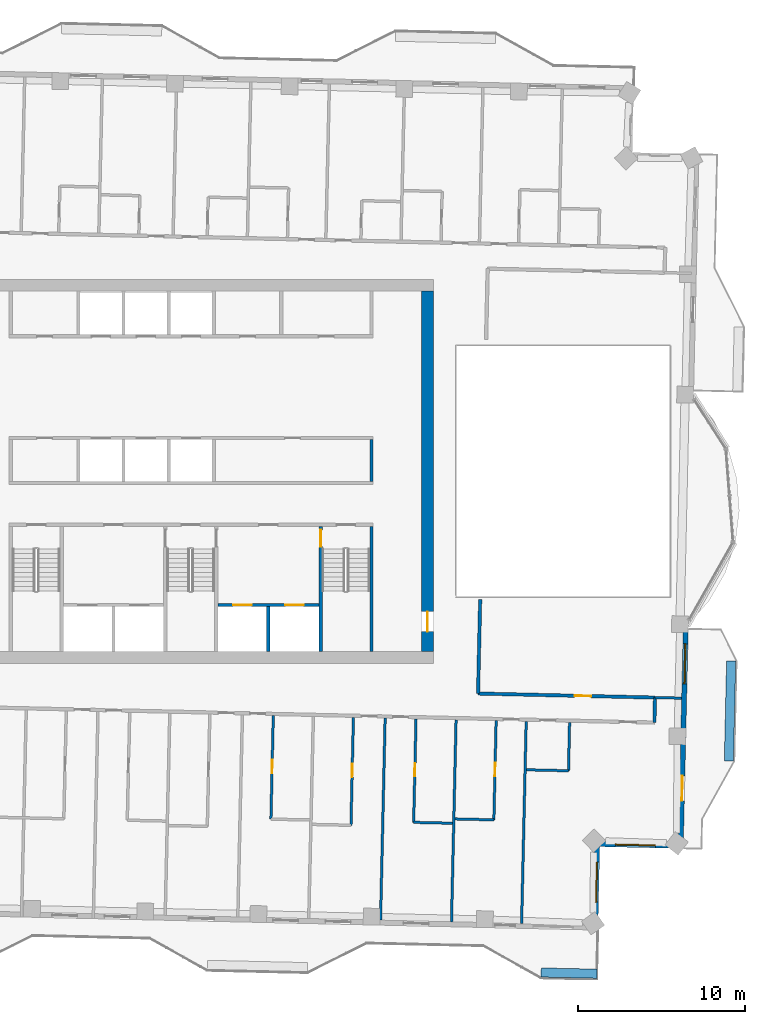
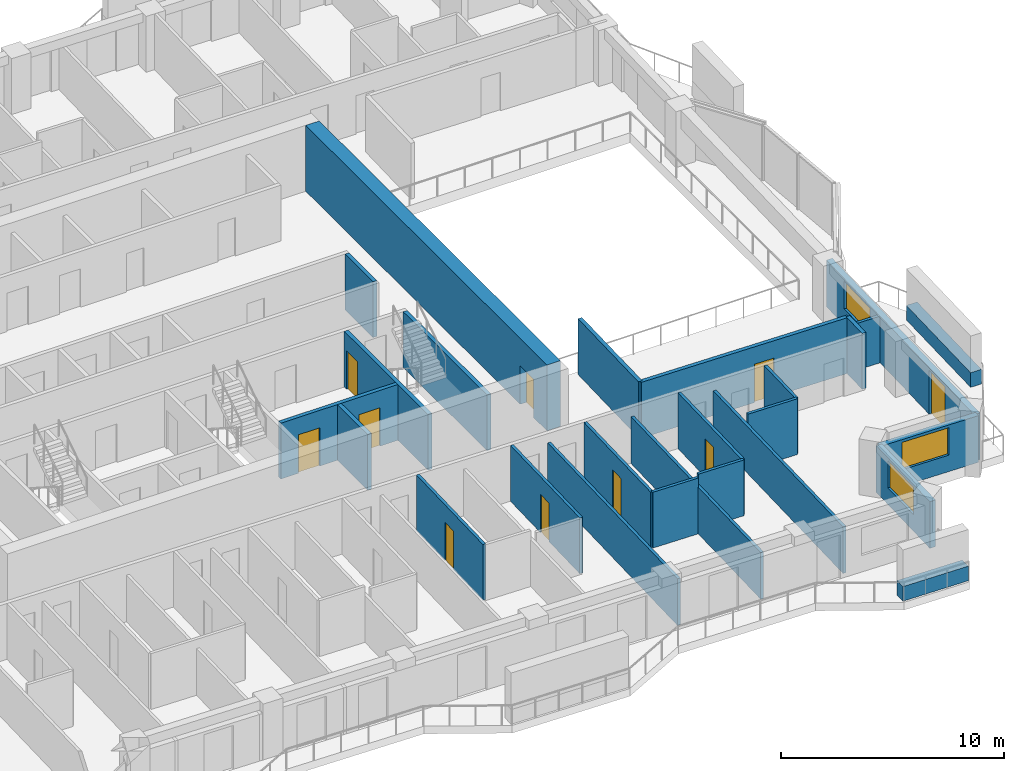
# One storey, part 9 of 17: 26 walls, 10 doors, 3 windows, 13 openings.
"""IFC4 building model written with IfcOpenShell, lengths in metres."""

from ifc_helpers import new_model, si_unit, direction, frame, frame_2d, origin, place, context, subcontext, project, spatial, rectangle, extrude, material, layer, layer_set, type_object, element, fill, save


model = new_model("IFC4")

# Units and contexts
model_context = context("Model", 3, precision=1e-05, world=origin(), true_north=direction((0.0, 1.0)))
body_context = subcontext(model_context, "Body", "Model", "MODEL_VIEW")
ifc_project = project(units=[si_unit("LENGTHUNIT", "METRE"), si_unit("AREAUNIT", "SQUARE_METRE"), si_unit("VOLUMEUNIT", "CUBIC_METRE"), si_unit("PLANEANGLEUNIT", "RADIAN"), si_unit("MASSUNIT", "GRAM", prefix="KILO")], contexts=[model_context])

# Site, building, storey
site_placement = place(None, origin())
site = spatial("IfcSite", under=ifc_project, at=site_placement, CompositionType="ELEMENT")
building_placement = place(site_placement, origin())
building = spatial("IfcBuilding", under=site, at=building_placement, Name="Mangrove Gate Tower", CompositionType="ELEMENT")
storey_placement = place(building_placement, frame((0.0, 0.0, 257.300048828125)))
storey = spatial("IfcBuildingStorey", under=building, at=storey_placement, Name="L65", CompositionType="ELEMENT", Elevation=257.300048828125)

# Wall
ifc_material_1 = material(Name="Concrete C32/40", Category="concrete")
ifc_layer_1 = layer(ifc_material_1, 0.199951171875)
ifc_layer_set_1 = layer_set([ifc_layer_1], Name="Core room wall 200 C32/40")
wall_type_1 = type_object("IfcWallType", Name="Core room wall 200 C32/40", PredefinedType="STANDARD", material=ifc_layer_set_1)
wall_1_placement = place(storey_placement, frame((10.800048828125, -0.60009765625, 0.0), z_axis=(0.0, 0.0, 1.0), x_axis=(0.0, 1.0, 0.0)))
element("IfcWall", 1, at=wall_1_placement, inside=storey, type_object=wall_type_1, Name="WALL-L65-CORE-24", PredefinedType="STANDARD", context=body_context, shape_type="SweptSolid", body=[
    extrude(rectangle(XDim=2.5, YDim=0.199951171875, at=frame_2d((1.25, 0.0))), origin(), (0.0, 0.0, 1.0), 3.050048828125),
])

# Wall, openings, doors
ifc_material_2 = material(Name="Concrete C60/75", Category="concrete")
ifc_layer_2 = layer(ifc_material_2, 0.199951171875)
ifc_layer_set_2 = layer_set([ifc_layer_2], Name="Core shaft wall 200 C60/75")
wall_type_2 = type_object("IfcWallType", Name="Core shaft wall 200 C60/75", PredefinedType="SHEAR", material=ifc_layer_set_2)
wall_2_placement = place(storey_placement, frame((1.60009765625, -8.0, 0.0), z_axis=(0.0, 0.0, 1.0), x_axis=(1.0, 0.0, 0.0)))
wall_2 = element("IfcWall", 2, at=wall_2_placement, inside=storey, type_object=wall_type_2, Name="WALL-L65-CORE-17", PredefinedType="SHEAR", context=body_context, shape_type="SweptSolid", body=[
    extrude(rectangle(XDim=6.0498046875, YDim=0.199951171875, at=frame_2d((3.02490234375, 0.0))), origin(), (0.0, 0.0, 1.0), 3.050048828125),
])
opening_1_placement = place(wall_2_placement, frame((0.91259765625, 0.0, 0.0)))
opening_1 = element("IfcOpeningElement", 3, at=opening_1_placement, cuts=wall_2, Name="Opening LD", PredefinedType="OPENING", context=body_context, shape_type="SweptSolid", body=[
    extrude(rectangle(XDim=1.10009765625, YDim=2.10009765625, at=frame_2d((0.550048828125, 1.050048828125))), frame((0.0, 0.10986328125, 0.0), z_axis=(0.0, -1.0, 0.0), x_axis=(1.0, 0.0, 0.0)), (0.0, 0.0, 1.0), 0.219970703125),
])
opening_2_placement = place(wall_2_placement, frame((4.03759765625, 0.0, 0.0)))
opening_2 = element("IfcOpeningElement", 4, at=opening_2_placement, cuts=wall_2, Name="Opening LD", PredefinedType="OPENING", context=body_context, shape_type="SweptSolid", body=[
    extrude(rectangle(XDim=1.10009765625, YDim=2.10009765625, at=frame_2d((0.550048828125, 1.050048828125))), frame((0.0, 0.10986328125, 0.0), z_axis=(0.0, -1.0, 0.0), x_axis=(1.0, 0.0, 0.0)), (0.0, 0.0, 1.0), 0.219970703125),
])
ifc_material_3 = material(Name="Stainless steel 316", Category="steel")
door_type_1 = type_object("IfcDoorType", Name="Lift landing door 1100x2100", OperationType="SLIDING_TO_LEFT", PredefinedType="DOOR", material=ifc_material_3)
door_1_placement = place(opening_1_placement, origin())
door_1 = element("IfcDoor", 5, at=door_1_placement, inside=storey, type_object=door_type_1, Name="Landing door LD FFL1", OperationType="SLIDING_TO_LEFT", OverallHeight=2.10009765625, OverallWidth=1.10009765625, PredefinedType="DOOR", context=body_context, shape_type="SweptSolid", body=[
    extrude(rectangle(XDim=1.10009765625, YDim=2.10009765625, at=frame_2d((0.550048828125, 1.050048828125))), frame((0.0, 0.02490234375, 0.0), z_axis=(0.0, -1.0, 0.0), x_axis=(1.0, 0.0, 0.0)), (0.0, 0.0, 1.0), 0.050048828125),
])
fill(opening_1, door_1)
door_2_placement = place(opening_2_placement, origin())
door_2 = element("IfcDoor", 6, at=door_2_placement, inside=storey, type_object=door_type_1, Name="Landing door LD FFL2", OperationType="SLIDING_TO_LEFT", OverallHeight=2.10009765625, OverallWidth=1.10009765625, PredefinedType="DOOR", context=body_context, shape_type="SweptSolid", body=[
    extrude(rectangle(XDim=1.10009765625, YDim=2.10009765625, at=frame_2d((0.550048828125, 1.050048828125))), frame((0.0, 0.02490234375, 0.0), z_axis=(0.0, -1.0, 0.0), x_axis=(1.0, 0.0, 0.0)), (0.0, 0.0, 1.0), 0.050048828125),
])
fill(opening_2, door_2)

# Wall
wall_3_placement = place(storey_placement, frame((4.625, -10.800048828125, 0.0), z_axis=(0.0, 0.0, 1.0), x_axis=(0.0, 1.0, 0.0)))
element("IfcWall", 7, at=wall_3_placement, inside=storey, type_object=wall_type_2, Name="WALL-L65-CORE-18", PredefinedType="SHEAR", context=body_context, shape_type="SweptSolid", body=[
    extrude(rectangle(XDim=2.699951171875, YDim=0.199951171875, at=frame_2d((1.35009765625, 0.0))), origin(), (0.0, 0.0, 1.0), 3.050048828125),
])

# Wall, opening, door
ifc_material_4 = material(Name="Concrete C60/75", Category="concrete")
ifc_layer_3 = layer(ifc_material_4, 0.199951171875)
ifc_layer_set_3 = layer_set([ifc_layer_3], Name="Core stair wall 200 C60/75")
wall_type_3 = type_object("IfcWallType", Name="Core stair wall 200 C60/75", PredefinedType="SHEAR", material=ifc_layer_set_3)
wall_4_placement = place(storey_placement, frame((7.75, -10.800048828125, 0.0), z_axis=(0.0, 0.0, 1.0), x_axis=(0.0, 1.0, 0.0)))
wall_4 = element("IfcWall", 8, at=wall_4_placement, inside=storey, type_object=wall_type_3, Name="WALL-L65-CORE-13", PredefinedType="SHEAR", context=body_context, shape_type="SweptSolid", body=[
    extrude(rectangle(XDim=7.5, YDim=0.199951171875, at=frame_2d((3.75, 0.0))), origin(), (0.0, 0.0, 1.0), 3.050048828125),
])
opening_3_placement = place(wall_4_placement, frame((6.300048828125, 0.0, 0.0)))
opening_3 = element("IfcOpeningElement", 9, at=opening_3_placement, cuts=wall_4, Name="Opening STD10", PredefinedType="OPENING", context=body_context, shape_type="SweptSolid", body=[
    extrude(rectangle(XDim=1.0, YDim=2.10009765625, at=frame_2d((0.5, 1.050048828125))), frame((0.0, 0.10986328125, 0.0), z_axis=(0.0, -1.0, 0.0), x_axis=(1.0, 0.0, 0.0)), (0.0, 0.0, 1.0), 0.219970703125),
])
ifc_material_5 = material(Name="Fire-rated steel door set", Category="steel")
door_type_2 = type_object("IfcDoorType", Name="Stair door FD60 1000x2100", OperationType="SINGLE_SWING_RIGHT", PredefinedType="DOOR", material=ifc_material_5)
door_3_placement = place(opening_3_placement, origin())
door_3 = element("IfcDoor", 10, at=door_3_placement, inside=storey, type_object=door_type_2, Name="Stair door Stair 3 from fire-fighting lobby", OperationType="SINGLE_SWING_RIGHT", OverallHeight=2.10009765625, OverallWidth=1.0, PredefinedType="DOOR", context=body_context, shape_type="SweptSolid", body=[
    extrude(rectangle(XDim=1.0, YDim=2.10009765625, at=frame_2d((0.5, 1.050048828125))), frame((0.0, 0.02490234375, 0.0), z_axis=(0.0, -1.0, 0.0), x_axis=(1.0, 0.0, 0.0)), (0.0, 0.0, 1.0), 0.050048828125),
])
fill(opening_3, door_3)

# Wall
wall_5_placement = place(storey_placement, frame((10.800048828125, -10.800048828125, 0.0), z_axis=(0.0, 0.0, 1.0), x_axis=(0.0, 1.0, 0.0)))
element("IfcWall", 11, at=wall_5_placement, inside=storey, type_object=wall_type_3, Name="WALL-L65-CORE-14", PredefinedType="SHEAR", context=body_context, shape_type="SweptSolid", body=[
    extrude(rectangle(XDim=7.5, YDim=0.199951171875, at=frame_2d((3.75, 0.0))), origin(), (0.0, 0.0, 1.0), 3.050048828125),
])

# Wall, opening, door
ifc_material_6 = material(Name="Concrete C60/75", Category="concrete")
ifc_layer_4 = layer(ifc_material_6, 0.699951171875)
ifc_layer_set_4 = layer_set([ifc_layer_4], Name="Core wall 700 C60/75")
wall_type_4 = type_object("IfcWallType", Name="Core wall 700 C60/75", PredefinedType="SHEAR", material=ifc_layer_set_4)
wall_6_placement = place(storey_placement, frame((14.14990234375, -10.800048828125, 0.0), z_axis=(0.0, 0.0, 1.0), x_axis=(0.0, 1.0, 0.0)))
wall_6 = element("IfcWall", 12, at=wall_6_placement, inside=storey, type_object=wall_type_4, Name="WALL-L65-CORE-4", PredefinedType="SHEAR", context=body_context, shape_type="SweptSolid", body=[
    extrude(rectangle(XDim=21.60009765625, YDim=0.699951171875, at=frame_2d((10.800048828125, 0.0))), origin(), (0.0, 0.0, 1.0), 3.599853515625),
])
opening_4_placement = place(wall_6_placement, frame((1.199951171875, 0.0, 0.0)))
opening_4 = element("IfcOpeningElement", 13, at=opening_4_placement, cuts=wall_6, Name="Opening CD", PredefinedType="OPENING", context=body_context, shape_type="SweptSolid", body=[
    extrude(rectangle(XDim=1.199951171875, YDim=2.10009765625, at=frame_2d((0.60009765625, 1.050048828125))), frame((0.0, 0.35986328125, 0.0), z_axis=(0.0, -1.0, 0.0), x_axis=(1.0, 0.0, 0.0)), (0.0, 0.0, 1.0), 0.719970703125),
])
ifc_material_7 = material(Name="Fire-rated steel door set", Category="steel")
door_type_3 = type_object("IfcDoorType", Name="Core ring door FD60 1200x2100", OperationType="DOUBLE_DOOR_SINGLE_SWING", PredefinedType="DOOR", material=ifc_material_7)
door_4_placement = place(opening_4_placement, origin())
door_4 = element("IfcDoor", 14, at=door_4_placement, inside=storey, type_object=door_type_3, Name="Core ring door E1", OperationType="DOUBLE_DOOR_SINGLE_SWING", OverallHeight=2.10009765625, OverallWidth=1.199951171875, PredefinedType="DOOR", context=body_context, shape_type="SweptSolid", body=[
    extrude(rectangle(XDim=1.199951171875, YDim=2.10009765625, at=frame_2d((0.60009765625, 1.050048828125))), frame((0.0, 0.02490234375, 0.0), z_axis=(0.0, -1.0, 0.0), x_axis=(1.0, 0.0, 0.0)), (0.0, 0.0, 1.0), 0.050048828125),
])
fill(opening_4, door_4)

# Wall
ifc_material_8 = material(Name="Gypsum board on steel stud, EI 60", Category="steel")
ifc_layer_5 = layer(ifc_material_8, 0.199951171875)
ifc_layer_set_5 = layer_set([ifc_layer_5], Name="Corridor wall EI 60")
wall_type_5 = type_object("IfcWallType", Name="Corridor wall EI 60", PredefinedType="PARTITIONING", material=ifc_layer_set_5)
wall_7_placement = place(storey_placement, frame((27.742919921875, -15.047119140625, 0.0), z_axis=(0.0, 0.0, 1.0), x_axis=(0.022780545013, 0.999740489712, 0.0)))
element("IfcWall", 15, at=wall_7_placement, inside=storey, type_object=wall_type_5, Name="WALL-L65-034", PredefinedType="PARTITIONING", context=body_context, shape_type="SweptSolid", body=[
    extrude(rectangle(XDim=1.50048828125, YDim=0.199951171875, at=frame_2d((0.750244140625, 0.0))), origin(), (0.0, 0.0, 1.0), 3.050048828125),
])

# Wall, opening, door
wall_8_placement = place(storey_placement, frame((17.176025390625, -13.305908203125, 0.0), z_axis=(0.0, 0.0, 1.0), x_axis=(0.999741038234, -0.022756459988, 0.0)))
wall_8 = element("IfcWall", 16, at=wall_8_placement, inside=storey, type_object=wall_type_5, Name="WALL-L65-038", PredefinedType="PARTITIONING", context=body_context, shape_type="SweptSolid", body=[
    extrude(rectangle(XDim=10.599609375, YDim=0.199951171875, at=frame_2d((5.2998046875, 0.0))), origin(), (0.0, 0.0, 1.0), 3.050048828125),
])
opening_5_placement = place(wall_8_placement, frame((5.782958984375, 0.0, 0.0)))
opening_5 = element("IfcOpeningElement", 17, at=opening_5_placement, cuts=wall_8, Name="Opening AD", PredefinedType="OPENING", context=body_context, shape_type="SweptSolid", body=[
    extrude(rectangle(XDim=1.0, YDim=2.10009765625, at=frame_2d((0.5, 1.050048828125))), frame((0.0, 0.10986328125, 0.0), z_axis=(0.0, -1.0, 0.0), x_axis=(1.0, 0.0, 0.0)), (0.0, 0.0, 1.0), 0.219970703125),
])
ifc_material_9 = material(Name="Timber door leaf", Category="wood")
door_type_4 = type_object("IfcDoorType", Name="Amenity door 1000", OperationType="SINGLE_SWING_LEFT", PredefinedType="DOOR", material=ifc_material_9)
door_5_placement = place(opening_5_placement, origin())
door_5 = element("IfcDoor", 18, at=door_5_placement, inside=storey, type_object=door_type_4, Name="DOOR-L65-LNG-c3a", OperationType="SINGLE_SWING_LEFT", OverallHeight=2.10009765625, OverallWidth=1.0, PredefinedType="DOOR", context=body_context, shape_type="SweptSolid", body=[
    extrude(rectangle(XDim=1.0, YDim=2.10009765625, at=frame_2d((0.5, 1.050048828125))), frame((0.0, 0.02490234375, 0.0), z_axis=(0.0, -1.0, 0.0), x_axis=(1.0, 0.0, 0.0)), (0.0, 0.0, 1.0), 0.050048828125),
])
fill(opening_5, door_5)

# Wall
wall_9_placement = place(storey_placement, frame((17.179931640625, -13.305908203125, 0.0), z_axis=(0.0, 0.0, 1.0), x_axis=(0.022584272568, 0.999744942789, 0.0)))
element("IfcWall", 19, at=wall_9_placement, inside=storey, type_object=wall_type_5, Name="WALL-L65-039", PredefinedType="PARTITIONING", context=body_context, shape_type="SweptSolid", body=[
    extrude(rectangle(XDim=5.621337890625, YDim=0.199951171875, at=frame_2d((2.810546875, 0.0))), origin(), (0.0, 0.0, 1.0), 3.050048828125),
])

# Wall, openings, door, window
ifc_material_10 = material(Name="Limestone", Category="masonry")
ifc_layer_6 = layer(ifc_material_10, 0.0400390625, Name="Limestone cladding")
ifc_material_11 = material(Name="Ventilated air gap")
ifc_layer_7 = layer(ifc_material_11, 0.0400390625, Name="Ventilated cavity")
ifc_material_12 = material(Name="Mineral wool insulation")
ifc_layer_8 = layer(ifc_material_12, 0.06005859375, Name="Insulation")
ifc_material_13 = material(Name="Breather membrane")
ifc_layer_9 = layer(ifc_material_13, 0.001953125, Name="Breather membrane")
ifc_material_14 = material(Name="Concrete C20/25 blockwork", Category="masonry")
ifc_layer_10 = layer(ifc_material_14, 0.14990234375, Name="Blockwork backing wall")
ifc_material_15 = material(Name="Gypsum plaster")
ifc_layer_11 = layer(ifc_material_15, 0.008056640625, Name="Internal plaster")
ifc_layer_set_6 = layer_set([ifc_layer_6, ifc_layer_7, ifc_layer_8, ifc_layer_9, ifc_layer_10, ifc_layer_11], Name="External wall 300 limestone cladding")
wall_type_6 = type_object("IfcWallType", Name="External wall 300 limestone cladding", PredefinedType="SOLIDWALL", material=ifc_layer_set_6)
wall_10_placement = place(storey_placement, frame((29.322021484375, -22.43408203125, 0.0), z_axis=(0.0, 0.0, 1.0), x_axis=(0.022651350875, 0.999743425236, 0.0)))
wall_10 = element("IfcWall", 20, at=wall_10_placement, inside=storey, type_object=wall_type_6, Name="WALL-L65-E0s1", PredefinedType="SOLIDWALL", context=body_context, shape_type="SweptSolid", body=[
    extrude(rectangle(XDim=13.7744140625, YDim=0.300048828125, at=frame_2d((6.88720703125, 0.0))), origin(), (0.0, 0.0, 1.0), 2.550048828125),
])
opening_6_placement = place(wall_10_placement, frame((2.705078125, 0.0, 0.0)))
opening_6 = element("IfcOpeningElement", 21, at=opening_6_placement, cuts=wall_10, Name="Opening BD1", PredefinedType="OPENING", context=body_context, shape_type="SweptSolid", body=[
    extrude(rectangle(XDim=1.5, YDim=2.39990234375, at=frame_2d((0.75, 1.199951171875))), frame((0.0, 0.159912109375, 0.0), z_axis=(0.0, -1.0, 0.0), x_axis=(1.0, 0.0, 0.0)), (0.0, 0.0, 1.0), 0.320068359375),
])
opening_7_placement = place(wall_10_placement, frame((9.712890625, 0.0, 0.89990234375)))
opening_7 = element("IfcOpeningElement", 22, at=opening_7_placement, cuts=wall_10, Name="Opening W2", PredefinedType="OPENING", context=body_context, shape_type="SweptSolid", body=[
    extrude(rectangle(XDim=2.39990234375, YDim=1.5, at=frame_2d((1.199951171875, 0.75))), frame((0.0, 0.159912109375, 0.0), z_axis=(0.0, -1.0, 0.0), x_axis=(1.0, 0.0, 0.0)), (0.0, 0.0, 1.0), 0.320068359375),
])
ifc_material_16 = material(Name="Aluminium frame with laminated clear glass", Category="aluminium")
door_type_5 = type_object("IfcDoorType", Name="Balcony sliding door 1500x2400", OperationType="SLIDING_TO_LEFT", PredefinedType="DOOR", material=ifc_material_16)
door_6_placement = place(opening_6_placement, origin())
door_6 = element("IfcDoor", 23, at=door_6_placement, inside=storey, type_object=door_type_5, Name="DOOR-L65-E0-1", OperationType="SLIDING_TO_LEFT", OverallHeight=2.39990234375, OverallWidth=1.5, PredefinedType="DOOR", context=body_context, shape_type="SweptSolid", body=[
    extrude(rectangle(XDim=1.5, YDim=2.39990234375, at=frame_2d((0.75, 1.199951171875))), frame((0.0, 0.02490234375, 0.0), z_axis=(0.0, -1.0, 0.0), x_axis=(1.0, 0.0, 0.0)), (0.0, 0.0, 1.0), 0.050048828125),
])
fill(opening_6, door_6)
ifc_material_17 = material(Name="Aluminium frame with double-glazed low-e glass", Category="aluminium")
window_type = type_object("IfcWindowType", Name="Corner room window 2400x1500", PartitioningType="DOUBLE_PANEL_VERTICAL", PredefinedType="WINDOW", material=ifc_material_17)
window_1_placement = place(opening_7_placement, origin())
window_1 = element("IfcWindow", 24, at=window_1_placement, inside=storey, type_object=window_type, Name="WIN-L65-E0-2", OverallHeight=1.5, OverallWidth=2.39990234375, PartitioningType="DOUBLE_PANEL_VERTICAL", PredefinedType="WINDOW", context=body_context, shape_type="SweptSolid", body=[
    extrude(rectangle(XDim=2.39990234375, YDim=1.5, at=frame_2d((1.199951171875, 0.75))), frame((0.0, 0.030029296875, 0.0), z_axis=(0.0, -1.0, 0.0), x_axis=(1.0, 0.0, 0.0)), (0.0, 0.0, 1.0), 0.06005859375),
])
fill(opening_7, window_1)

# Wall, opening, window
wall_11_placement = place(storey_placement, frame((24.208984375, -27.320068359375, 0.0), z_axis=(0.0, 0.0, 1.0), x_axis=(0.022801259434, 0.999740017489, 0.0)))
wall_11 = element("IfcWall", 25, at=wall_11_placement, inside=storey, type_object=wall_type_6, Name="WALL-L65-E14", PredefinedType="SOLIDWALL", context=body_context, shape_type="SweptSolid", body=[
    extrude(rectangle(XDim=5.000244140625, YDim=0.300048828125, at=frame_2d((2.5, 0.0))), origin(), (0.0, 0.0, 1.0), 2.550048828125),
])
opening_8_placement = place(wall_11_placement, frame((1.52392578125, 0.0, 0.89990234375)))
opening_8 = element("IfcOpeningElement", 26, at=opening_8_placement, cuts=wall_11, Name="Opening W2", PredefinedType="OPENING", context=body_context, shape_type="SweptSolid", body=[
    extrude(rectangle(XDim=2.39990234375, YDim=1.5, at=frame_2d((1.199951171875, 0.75))), frame((0.0, 0.159912109375, 0.0), z_axis=(0.0, -1.0, 0.0), x_axis=(1.0, 0.0, 0.0)), (0.0, 0.0, 1.0), 0.320068359375),
])
window_2_placement = place(opening_8_placement, origin())
window_2 = element("IfcWindow", 27, at=window_2_placement, inside=storey, type_object=window_type, Name="WIN-L65-E14-1", OverallHeight=1.5, OverallWidth=2.39990234375, PartitioningType="DOUBLE_PANEL_VERTICAL", PredefinedType="WINDOW", context=body_context, shape_type="SweptSolid", body=[
    extrude(rectangle(XDim=2.39990234375, YDim=1.5, at=frame_2d((1.199951171875, 0.75))), frame((0.0, 0.030029296875, 0.0), z_axis=(0.0, -1.0, 0.0), x_axis=(1.0, 0.0, 0.0)), (0.0, 0.0, 1.0), 0.06005859375),
])
fill(opening_8, window_2)

wall_12_placement = place(storey_placement, frame((24.322998046875, -22.321044921875, 0.0), z_axis=(0.0, 0.0, 1.0), x_axis=(0.999744450377, -0.022606059803, 0.0)))
wall_12 = element("IfcWall", 28, at=wall_12_placement, inside=storey, type_object=wall_type_6, Name="WALL-L65-S15", PredefinedType="SOLIDWALL", context=body_context, shape_type="SweptSolid", body=[
    extrude(rectangle(XDim=5.000244140625, YDim=0.300048828125, at=frame_2d((2.5, 0.0))), origin(), (0.0, 0.0, 1.0), 2.550048828125),
])
opening_9_placement = place(wall_12_placement, frame((1.075927734375, 0.0, 0.89990234375)))
opening_9 = element("IfcOpeningElement", 29, at=opening_9_placement, cuts=wall_12, Name="Opening W2", PredefinedType="OPENING", context=body_context, shape_type="SweptSolid", body=[
    extrude(rectangle(XDim=2.39990234375, YDim=1.5, at=frame_2d((1.199951171875, 0.75))), frame((0.0, 0.159912109375, 0.0), z_axis=(0.0, -1.0, 0.0), x_axis=(1.0, 0.0, 0.0)), (0.0, 0.0, 1.0), 0.320068359375),
])
window_3_placement = place(opening_9_placement, origin())
window_3 = element("IfcWindow", 30, at=window_3_placement, inside=storey, type_object=window_type, Name="WIN-L65-S15-1", OverallHeight=1.5, OverallWidth=2.39990234375, PartitioningType="DOUBLE_PANEL_VERTICAL", PredefinedType="WINDOW", context=body_context, shape_type="SweptSolid", body=[
    extrude(rectangle(XDim=2.39990234375, YDim=1.5, at=frame_2d((1.199951171875, 0.75))), frame((0.0, 0.030029296875, 0.0), z_axis=(0.0, -1.0, 0.0), x_axis=(1.0, 0.0, 0.0)), (0.0, 0.0, 1.0), 0.06005859375),
])
fill(opening_9, window_3)

# Walls
ifc_material_18 = material(Name="Gypsum board on steel stud, EI 60", Category="steel")
ifc_layer_12 = layer(ifc_material_18, 0.14990234375)
ifc_layer_set_7 = layer_set([ifc_layer_12], Name="Party wall 150 EI 60")
wall_type_7 = type_object("IfcWallType", Name="Party wall 150 EI 60", PredefinedType="PARTITIONING", material=ifc_layer_set_7)
wall_13_placement = place(storey_placement, frame((11.340087890625, -26.8779296875, 0.0), z_axis=(0.0, 0.0, 1.0), x_axis=(0.022719113715, 0.999741887625, 0.0)))
element("IfcWall", 31, at=wall_13_placement, inside=storey, type_object=wall_type_7, Name="WALL-L65-008", PredefinedType="PARTITIONING", context=body_context, shape_type="SweptSolid", body=[
    extrude(rectangle(XDim=12.10009765625, YDim=0.14990234375, at=frame_2d((6.050048828125, 0.0))), origin(), (0.0, 0.0, 1.0), 2.550048828125),
])
wall_14_placement = place(storey_placement, frame((15.589111328125, -26.97412109375, 0.0), z_axis=(0.0, 0.0, 1.0), x_axis=(0.022718655443, 0.999741898039, 0.0)))
element("IfcWall", 32, at=wall_14_placement, inside=storey, type_object=wall_type_7, Name="WALL-L65-009", PredefinedType="PARTITIONING", context=body_context, shape_type="SweptSolid", body=[
    extrude(rectangle(XDim=12.100341796875, YDim=0.14990234375, at=frame_2d((6.05029296875, 0.0))), origin(), (0.0, 0.0, 1.0), 2.550048828125),
])
wall_15_placement = place(storey_placement, frame((19.7880859375, -27.070068359375, 0.0), z_axis=(0.0, 0.0, 1.0), x_axis=(0.022716822539, 0.999741939689, 0.0)))
element("IfcWall", 33, at=wall_15_placement, inside=storey, type_object=wall_type_7, Name="WALL-L65-010", PredefinedType="PARTITIONING", context=body_context, shape_type="SweptSolid", body=[
    extrude(rectangle(XDim=12.101318359375, YDim=0.14990234375, at=frame_2d((6.05078125, 0.0))), origin(), (0.0, 0.0, 1.0), 2.550048828125),
])

# Wall, opening, door
wall_16_placement = place(storey_placement, frame((9.569091796875, -21.196044921875, 0.0), z_axis=(0.0, 0.0, 1.0), x_axis=(0.022597796078, 0.999744637201, 0.0)))
wall_16 = element("IfcWall", 34, at=wall_16_placement, inside=storey, type_object=wall_type_7, Name="WALL-L65-019", PredefinedType="PARTITIONING", context=body_context, shape_type="SweptSolid", body=[
    extrude(rectangle(XDim=6.460693359375, YDim=0.14990234375, at=frame_2d((3.23046875, 0.0))), origin(), (0.0, 0.0, 1.0), 3.050048828125),
])
opening_10_placement = place(wall_16_placement, frame((2.8798828125, 0.0, 0.0)))
opening_10 = element("IfcOpeningElement", 35, at=opening_10_placement, cuts=wall_16, Name="Opening ED", PredefinedType="OPENING", context=body_context, shape_type="SweptSolid", body=[
    extrude(rectangle(XDim=0.800048828125, YDim=2.10009765625, at=frame_2d((0.39990234375, 1.050048828125))), frame((0.0, 0.0849609375, 0.0), z_axis=(0.0, -1.0, 0.0), x_axis=(1.0, 0.0, 0.0)), (0.0, 0.0, 1.0), 0.169921875),
])
ifc_material_19 = material(Name="Timber door leaf", Category="wood")
door_type_6 = type_object("IfcDoorType", Name="En-suite door 800", OperationType="SINGLE_SWING_LEFT", PredefinedType="DOOR", material=ifc_material_19)
door_7_placement = place(opening_10_placement, origin())
door_7 = element("IfcDoor", 36, at=door_7_placement, inside=storey, type_object=door_type_6, Name="DOOR-L65-ENS-c207", OperationType="SINGLE_SWING_LEFT", OverallHeight=2.10009765625, OverallWidth=0.800048828125, PredefinedType="DOOR", context=body_context, shape_type="SweptSolid", body=[
    extrude(rectangle(XDim=0.800048828125, YDim=2.10009765625, at=frame_2d((0.39990234375, 1.050048828125))), frame((0.0, 0.02490234375, 0.0), z_axis=(0.0, -1.0, 0.0), x_axis=(1.0, 0.0, 0.0)), (0.0, 0.0, 1.0), 0.050048828125),
])
fill(opening_10, door_7)

wall_17_placement = place(storey_placement, frame((4.77587890625, -20.826904296875, 0.0), z_axis=(0.0, 0.0, 1.0), x_axis=(0.022604220207, 0.999744491972, 0.0)))
wall_17 = element("IfcWall", 37, at=wall_17_placement, inside=storey, type_object=wall_type_7, Name="WALL-L65-020", PredefinedType="PARTITIONING", context=body_context, shape_type="SweptSolid", body=[
    extrude(rectangle(XDim=6.199462890625, YDim=0.14990234375, at=frame_2d((3.099609375, 0.0))), origin(), (0.0, 0.0, 1.0), 3.050048828125),
])
opening_11_placement = place(wall_17_placement, frame((2.75, 0.0, 0.0)))
opening_11 = element("IfcOpeningElement", 38, at=opening_11_placement, cuts=wall_17, Name="Opening ED", PredefinedType="OPENING", context=body_context, shape_type="SweptSolid", body=[
    extrude(rectangle(XDim=0.800048828125, YDim=2.10009765625, at=frame_2d((0.39990234375, 1.050048828125))), frame((0.0, 0.0849609375, 0.0), z_axis=(0.0, -1.0, 0.0), x_axis=(1.0, 0.0, 0.0)), (0.0, 0.0, 1.0), 0.169921875),
])
door_8_placement = place(opening_11_placement, origin())
door_8 = element("IfcDoor", 39, at=door_8_placement, inside=storey, type_object=door_type_6, Name="DOOR-L65-ENS-c206", OperationType="SINGLE_SWING_RIGHT", OverallHeight=2.10009765625, OverallWidth=0.800048828125, PredefinedType="DOOR", context=body_context, shape_type="SweptSolid", body=[
    extrude(rectangle(XDim=0.800048828125, YDim=2.10009765625, at=frame_2d((0.39990234375, 1.050048828125))), frame((0.0, 0.02490234375, 0.0), z_axis=(0.0, -1.0, 0.0), x_axis=(1.0, 0.0, 0.0)), (0.0, 0.0, 1.0), 0.050048828125),
])
fill(opening_11, door_8)

wall_18_placement = place(storey_placement, frame((13.323974609375, -21.02099609375, 0.0), z_axis=(0.0, 0.0, 1.0), x_axis=(0.022604220207, 0.999744491972, 0.0)))
wall_18 = element("IfcWall", 40, at=wall_18_placement, inside=storey, type_object=wall_type_7, Name="WALL-L65-022", PredefinedType="PARTITIONING", context=body_context, shape_type="SweptSolid", body=[
    extrude(rectangle(XDim=6.199462890625, YDim=0.14990234375, at=frame_2d((3.099609375, 0.0))), origin(), (0.0, 0.0, 1.0), 3.050048828125),
])
opening_12_placement = place(wall_18_placement, frame((2.75, 0.0, 0.0)))
opening_12 = element("IfcOpeningElement", 41, at=opening_12_placement, cuts=wall_18, Name="Opening ED", PredefinedType="OPENING", context=body_context, shape_type="SweptSolid", body=[
    extrude(rectangle(XDim=0.800048828125, YDim=2.10009765625, at=frame_2d((0.39990234375, 1.050048828125))), frame((0.0, 0.0849609375, 0.0), z_axis=(0.0, -1.0, 0.0), x_axis=(1.0, 0.0, 0.0)), (0.0, 0.0, 1.0), 0.169921875),
])
door_9_placement = place(opening_12_placement, origin())
door_9 = element("IfcDoor", 42, at=door_9_placement, inside=storey, type_object=door_type_6, Name="DOOR-L65-ENS-c308", OperationType="SINGLE_SWING_RIGHT", OverallHeight=2.10009765625, OverallWidth=0.800048828125, PredefinedType="DOOR", context=body_context, shape_type="SweptSolid", body=[
    extrude(rectangle(XDim=0.800048828125, YDim=2.10009765625, at=frame_2d((0.39990234375, 1.050048828125))), frame((0.0, 0.02490234375, 0.0), z_axis=(0.0, -1.0, 0.0), x_axis=(1.0, 0.0, 0.0)), (0.0, 0.0, 1.0), 0.050048828125),
])
fill(opening_12, door_9)

# Walls
wall_19_placement = place(storey_placement, frame((13.327880859375, -21.02099609375, 0.0), z_axis=(0.0, 0.0, 1.0), x_axis=(0.99974031529, -0.022788198363, 0.0)))
element("IfcWall", 43, at=wall_19_placement, inside=storey, type_object=wall_type_7, Name="WALL-L65-023", PredefinedType="PARTITIONING", context=body_context, shape_type="SweptSolid", body=[
    extrude(rectangle(XDim=2.32470703125, YDim=0.14990234375, at=frame_2d((1.162353515625, 0.0))), origin(), (0.0, 0.0, 1.0), 3.050048828125),
])
wall_20_placement = place(storey_placement, frame((15.80810546875, -20.81689453125, 0.0), z_axis=(0.0, 0.0, 1.0), x_axis=(0.999737862264, -0.022895561926, 0.0)))
element("IfcWall", 44, at=wall_20_placement, inside=storey, type_object=wall_type_7, Name="WALL-L65-026", PredefinedType="PARTITIONING", context=body_context, shape_type="SweptSolid", body=[
    extrude(rectangle(XDim=2.324462890625, YDim=0.14990234375, at=frame_2d((1.162109375, 0.0))), origin(), (0.0, 0.0, 1.0), 3.050048828125),
])

# Wall, opening, door
wall_21_placement = place(storey_placement, frame((18.1279296875, -20.8701171875, 0.0), z_axis=(0.0, 0.0, 1.0), x_axis=(0.022726072939, 0.999741729453, 0.0)))
wall_21 = element("IfcWall", 45, at=wall_21_placement, inside=storey, type_object=wall_type_7, Name="WALL-L65-027", PredefinedType="PARTITIONING", context=body_context, shape_type="SweptSolid", body=[
    extrude(rectangle(XDim=5.940673828125, YDim=0.14990234375, at=frame_2d((2.97021484375, 0.0))), origin(), (0.0, 0.0, 1.0), 3.050048828125),
])
opening_13_placement = place(wall_21_placement, frame((2.6201171875, 0.0, 0.0)))
opening_13 = element("IfcOpeningElement", 46, at=opening_13_placement, cuts=wall_21, Name="Opening ED", PredefinedType="OPENING", context=body_context, shape_type="SweptSolid", body=[
    extrude(rectangle(XDim=0.800048828125, YDim=2.10009765625, at=frame_2d((0.39990234375, 1.050048828125))), frame((0.0, 0.0849609375, 0.0), z_axis=(0.0, -1.0, 0.0), x_axis=(1.0, 0.0, 0.0)), (0.0, 0.0, 1.0), 0.169921875),
])
door_10_placement = place(opening_13_placement, origin())
door_10 = element("IfcDoor", 47, at=door_10_placement, inside=storey, type_object=door_type_6, Name="DOOR-L65-ENS-c309", OperationType="SINGLE_SWING_LEFT", OverallHeight=2.10009765625, OverallWidth=0.800048828125, PredefinedType="DOOR", context=body_context, shape_type="SweptSolid", body=[
    extrude(rectangle(XDim=0.800048828125, YDim=2.10009765625, at=frame_2d((0.39990234375, 1.050048828125))), frame((0.0, 0.02490234375, 0.0), z_axis=(0.0, -1.0, 0.0), x_axis=(1.0, 0.0, 0.0)), (0.0, 0.0, 1.0), 0.050048828125),
])
fill(opening_13, door_10)

# Walls
wall_22_placement = place(storey_placement, frame((20.075927734375, -17.873046875, 0.0), z_axis=(0.0, 0.0, 1.0), x_axis=(0.99973737352, -0.022916893077, 0.0)))
element("IfcWall", 48, at=wall_22_placement, inside=storey, type_object=wall_type_7, Name="WALL-L65-028", PredefinedType="PARTITIONING", context=body_context, shape_type="SweptSolid", body=[
    extrude(rectangle(XDim=2.52490234375, YDim=0.14990234375, at=frame_2d((1.262451171875, 0.0))), origin(), (0.0, 0.0, 1.0), 3.050048828125),
])
wall_23_placement = place(storey_placement, frame((22.595947265625, -17.930908203125, 0.0), z_axis=(0.0, 0.0, 1.0), x_axis=(0.022809352981, 0.999739832865, 0.0)))
element("IfcWall", 49, at=wall_23_placement, inside=storey, type_object=wall_type_7, Name="WALL-L65-029", PredefinedType="PARTITIONING", context=body_context, shape_type="SweptSolid", body=[
    extrude(rectangle(XDim=2.900634765625, YDim=0.14990234375, at=frame_2d((1.4501953125, 0.0))), origin(), (0.0, 0.0, 1.0), 3.050048828125),
])
wall_24_placement = place(storey_placement, frame((27.77294921875, -13.547119140625, 0.0), z_axis=(0.0, 0.0, 1.0), x_axis=(0.999748563699, -0.022423411484, 0.0)))
element("IfcWall", 50, at=wall_24_placement, inside=storey, type_object=wall_type_7, Name="WALL-L65-040", PredefinedType="PARTITIONING", context=body_context, shape_type="SweptSolid", body=[
    extrude(rectangle(XDim=1.6005859375, YDim=0.14990234375, at=frame_2d((0.80029296875, 0.0))), origin(), (0.0, 0.0, 1.0), 2.550048828125),
])
ifc_material_20 = material(Name="Concrete C32/40", Category="concrete")
ifc_layer_13 = layer(ifc_material_20, 0.199951171875, Name="Planter trough wall")
ifc_material_21 = material(Name="Bituminous waterproofing membrane")
ifc_layer_14 = layer(ifc_material_21, 0.0048828125, Name="Waterproofing")
ifc_material_22 = material(Name="Drainage board and gravel")
ifc_layer_15 = layer(ifc_material_22, 0.044921875, Name="Drainage layer")
ifc_material_23 = material(Name="Planting soil")
ifc_layer_16 = layer(ifc_material_23, 0.300048828125, Name="Growing medium")
ifc_layer_set_8 = layer_set([ifc_layer_13, ifc_layer_14, ifc_layer_15, ifc_layer_16], Name="Planter wall 550 C32/40")
wall_type_8 = type_object("IfcWallType", Name="Planter wall 550 C32/40", PredefinedType="USERDEFINED", material=ifc_layer_set_8)
wall_25_placement = place(storey_placement, frame((32.202880859375, -17.34912109375, 0.0), z_axis=(0.0, 0.0, 1.0), x_axis=(0.022702921152, 0.999742255469, 0.0)))
element("IfcWall", 51, at=wall_25_placement, inside=storey, type_object=wall_type_8, Name="PLANTER L65 E0.1", ObjectType="PLANTER", PredefinedType="USERDEFINED", context=body_context, shape_type="SweptSolid", body=[
    extrude(rectangle(XDim=6.00048828125, YDim=0.550048828125, at=frame_2d((3.000244140625, 0.0))), origin(), (0.0, 0.0, 1.0), 0.800048828125),
])
wall_26_placement = place(storey_placement, frame((20.9609375, -30.011962890625, 0.0), z_axis=(0.0, 0.0, 1.0), x_axis=(0.999747546804, -0.022468704017, 0.0)))
element("IfcWall", 52, at=wall_26_placement, inside=storey, type_object=wall_type_8, Name="PLANTER L65 S1.2", ObjectType="PLANTER", PredefinedType="USERDEFINED", context=body_context, shape_type="SweptSolid", body=[
    extrude(rectangle(XDim=3.335693359375, YDim=0.550048828125, at=frame_2d((1.66796875, 0.0))), origin(), (0.0, 0.0, 1.0), 0.800048828125),
])

save(model, "model.ifc")
